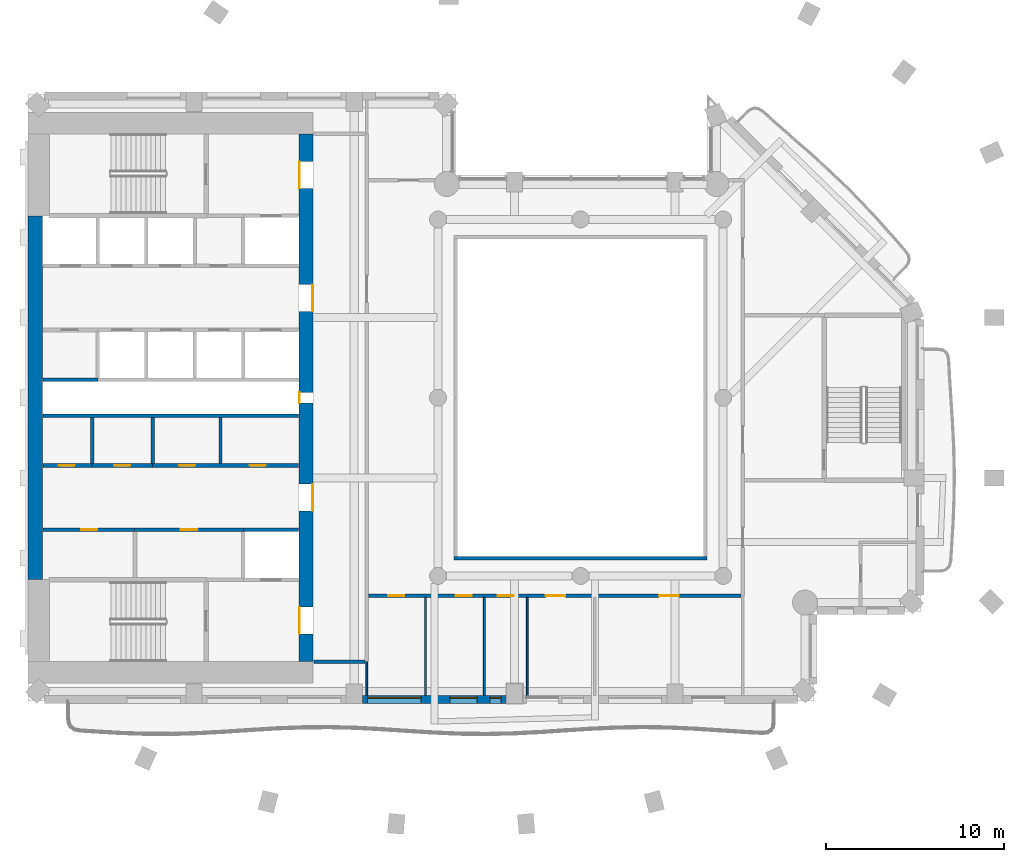
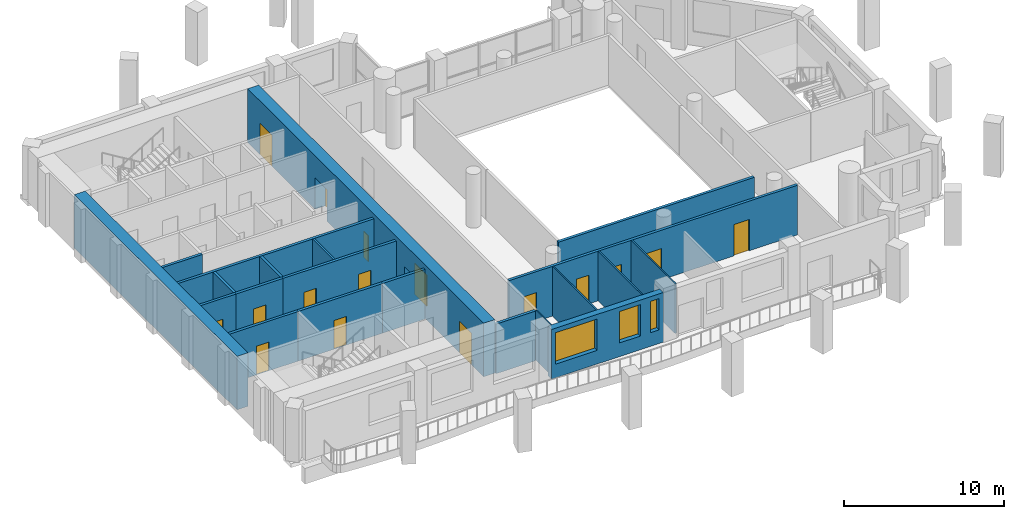
# One storey, part 4 of 13: 21 walls, 16 doors, 3 windows, 19 openings.
"""IFC4 building model written with IfcOpenShell, lengths in metres."""

from ifc_helpers import new_model, si_unit, direction, frame, frame_2d, origin, place, context, subcontext, project, spatial, rectangle, extrude, material, layer, layer_set, type_object, element, fill, save


model = new_model("IFC4")

# Units and contexts
model_context = context("Model", 3, precision=1e-05, world=origin(), true_north=direction((0.0, 1.0)))
body_context = subcontext(model_context, "Body", "Model", "MODEL_VIEW")
ifc_project = project(units=[si_unit("LENGTHUNIT", "METRE"), si_unit("AREAUNIT", "SQUARE_METRE"), si_unit("VOLUMEUNIT", "CUBIC_METRE"), si_unit("PLANEANGLEUNIT", "RADIAN"), si_unit("MASSUNIT", "GRAM", prefix="KILO")], contexts=[model_context])

# Site, building, storey
site_placement = place(None, origin())
site = spatial("IfcSite", under=ifc_project, at=site_placement, CompositionType="ELEMENT")
building_placement = place(site_placement, origin())
building = spatial("IfcBuilding", under=site, at=building_placement, Name="Cypress Arch Tower", CompositionType="ELEMENT")
storey_placement = place(building_placement, frame((0.0, 0.0, 189.199951171875)))
storey = spatial("IfcBuildingStorey", under=building, at=storey_placement, Name="L41", CompositionType="ELEMENT", Elevation=189.199951171875)

# Wall, openings, windows
ifc_material_1 = material(Name="Brick (red buff blend)", Category="masonry")
ifc_layer_1 = layer(ifc_material_1, 0.449951171875)
ifc_layer_set_1 = layer_set([ifc_layer_1], Name="Brick pier and spandrel wall BW450")
wall_type_1 = type_object("IfcWallType", Name="Brick pier and spandrel wall BW450", PredefinedType="SOLIDWALL", material=ifc_layer_set_1)
wall_1_placement = place(storey_placement, frame((-11.25, -16.925048828125, 0.0), z_axis=(0.0, 0.0, 1.0), x_axis=(1.0, 0.0, 0.0)))
wall_1 = element("IfcWall", 1, at=wall_1_placement, inside=storey, type_object=wall_type_1, Name="Brick wall L41 B01.2", PredefinedType="SOLIDWALL", context=body_context, shape_type="SweptSolid", body=[
    extrude(rectangle(XDim=8.10009765625, YDim=0.449951171875, at=frame_2d((4.050048828125, 0.0))), origin(), (0.0, 0.0, 1.0), 3.800048828125),
])
opening_1_placement = place(wall_1_placement, frame((0.300048828125, 0.0, 1.050048828125)))
opening_1 = element("IfcOpeningElement", 2, at=opening_1_placement, cuts=wall_1, Name="Opening W300OD", PredefinedType="OPENING", context=body_context, shape_type="SweptSolid", body=[
    extrude(rectangle(XDim=3.0, YDim=2.39990234375, at=frame_2d((1.5, 1.199951171875))), frame((0.0, 0.23486328125, 0.0), z_axis=(0.0, -1.0, 0.0), x_axis=(1.0, 0.0, 0.0)), (0.0, 0.0, 1.0), 0.469970703125),
])
opening_2_placement = place(wall_1_placement, frame((4.925048828125, 0.0, 1.050048828125)))
opening_2 = element("IfcOpeningElement", 3, at=opening_2_placement, cuts=wall_1, Name="Opening W150OD", PredefinedType="OPENING", context=body_context, shape_type="SweptSolid", body=[
    extrude(rectangle(XDim=1.5, YDim=2.39990234375, at=frame_2d((0.75, 1.199951171875))), frame((0.0, 0.23486328125, 0.0), z_axis=(0.0, -1.0, 0.0), x_axis=(1.0, 0.0, 0.0)), (0.0, 0.0, 1.0), 0.469970703125),
])
opening_3_placement = place(wall_1_placement, frame((7.175048828125, 0.0, 1.050048828125)))
opening_3 = element("IfcOpeningElement", 4, at=opening_3_placement, cuts=wall_1, Name="Opening W060OD", PredefinedType="OPENING", context=body_context, shape_type="SweptSolid", body=[
    extrude(rectangle(XDim=0.60009765625, YDim=2.39990234375, at=frame_2d((0.300048828125, 1.199951171875))), frame((0.0, 0.23486328125, 0.0), z_axis=(0.0, -1.0, 0.0), x_axis=(1.0, 0.0, 0.0)), (0.0, 0.0, 1.0), 0.469970703125),
])
ifc_material_2 = material(Name="Anodised aluminium, bronze finish, laminated low-emissivity double glazing, large-missile impact rated", Category="aluminium")
window_type_1 = type_object("IfcWindowType", Name="Window Office 1500x2400 debris-rated", PartitioningType="SINGLE_PANEL", PredefinedType="WINDOW", material=ifc_material_2)
window_1_placement = place(opening_2_placement, origin())
window_1 = element("IfcWindow", 5, at=window_1_placement, inside=storey, type_object=window_type_1, Name="Window L41 B01.2.2", OverallHeight=2.39990234375, OverallWidth=1.5, PartitioningType="SINGLE_PANEL", PredefinedType="WINDOW", context=body_context, shape_type="SweptSolid", body=[
    extrude(rectangle(XDim=1.5, YDim=2.39990234375, at=frame_2d((0.75, 1.199951171875))), frame((0.0, 0.135009765625, 0.0), z_axis=(0.0, -1.0, 0.0), x_axis=(1.0, 0.0, 0.0)), (0.0, 0.0, 1.0), 0.06005859375),
])
fill(opening_2, window_1)
ifc_material_3 = material(Name="Anodised aluminium, bronze finish, laminated low-emissivity double glazing, large-missile impact rated", Category="aluminium")
window_type_2 = type_object("IfcWindowType", Name="Window Office 3000x2400 debris-rated", PartitioningType="SINGLE_PANEL", PredefinedType="WINDOW", material=ifc_material_3)
window_2_placement = place(opening_1_placement, origin())
window_2 = element("IfcWindow", 6, at=window_2_placement, inside=storey, type_object=window_type_2, Name="Window L41 B01.2.1", OverallHeight=2.39990234375, OverallWidth=3.0, PartitioningType="SINGLE_PANEL", PredefinedType="WINDOW", context=body_context, shape_type="SweptSolid", body=[
    extrude(rectangle(XDim=3.0, YDim=2.39990234375, at=frame_2d((1.5, 1.199951171875))), frame((0.0, 0.135009765625, 0.0), z_axis=(0.0, -1.0, 0.0), x_axis=(1.0, 0.0, 0.0)), (0.0, 0.0, 1.0), 0.06005859375),
])
fill(opening_1, window_2)
ifc_material_4 = material(Name="Anodised aluminium, bronze finish, laminated low-emissivity double glazing, large-missile impact rated", Category="aluminium")
window_type_3 = type_object("IfcWindowType", Name="Window Office 600x2400 debris-rated", PartitioningType="SINGLE_PANEL", PredefinedType="WINDOW", material=ifc_material_4)
window_3_placement = place(opening_3_placement, origin())
window_3 = element("IfcWindow", 7, at=window_3_placement, inside=storey, type_object=window_type_3, Name="Window L41 B01.2.2b", OverallHeight=2.39990234375, OverallWidth=0.60009765625, PartitioningType="SINGLE_PANEL", PredefinedType="WINDOW", context=body_context, shape_type="SweptSolid", body=[
    extrude(rectangle(XDim=0.60009765625, YDim=2.39990234375, at=frame_2d((0.300048828125, 1.199951171875))), frame((0.0, 0.135009765625, 0.0), z_axis=(0.0, -1.0, 0.0), x_axis=(1.0, 0.0, 0.0)), (0.0, 0.0, 1.0), 0.06005859375),
])
fill(opening_3, window_3)

# Wall, openings, doors
ifc_material_5 = material(Name="Concrete C70/85", Category="concrete")
ifc_layer_2 = layer(ifc_material_5, 0.800048828125)
ifc_layer_set_2 = layer_set([ifc_layer_2], Name="Core wall CW800 C70/85")
wall_type_2 = type_object("IfcWallType", Name="Core wall CW800 C70/85", PredefinedType="SHEAR", material=ifc_layer_set_2)
wall_2_placement = place(storey_placement, frame((-14.39990234375, -14.800048828125, 0.0), z_axis=(0.0, 0.0, 1.0), x_axis=(0.0, 1.0, 0.0)))
wall_2 = element("IfcWall", 8, at=wall_2_placement, inside=storey, type_object=wall_type_2, Name="Core wall", PredefinedType="SHEAR", context=body_context, shape_type="SweptSolid", body=[
    extrude(rectangle(XDim=29.60009765625, YDim=0.800048828125, at=frame_2d((14.800048828125, 0.0))), origin(), (0.0, 0.0, 1.0), 4.10009765625),
])
opening_4_placement = place(wall_2_placement, frame((1.550048828125, 0.0, 0.0)))
opening_4 = element("IfcOpeningElement", 9, at=opening_4_placement, cuts=wall_2, Name="Opening D07", PredefinedType="OPENING", context=body_context, shape_type="SweptSolid", body=[
    extrude(rectangle(XDim=1.5, YDim=2.39990234375, at=frame_2d((0.75, 1.199951171875))), frame((0.0, 0.409912109375, 0.0), z_axis=(0.0, -1.0, 0.0), x_axis=(1.0, 0.0, 0.0)), (0.0, 0.0, 1.0), 0.820068359375),
])
opening_5_placement = place(wall_2_placement, frame((26.550048828125, 0.0, 0.0)))
opening_5 = element("IfcOpeningElement", 10, at=opening_5_placement, cuts=wall_2, Name="Opening D07", PredefinedType="OPENING", context=body_context, shape_type="SweptSolid", body=[
    extrude(rectangle(XDim=1.5, YDim=2.39990234375, at=frame_2d((0.75, 1.199951171875))), frame((0.0, 0.409912109375, 0.0), z_axis=(0.0, -1.0, 0.0), x_axis=(1.0, 0.0, 0.0)), (0.0, 0.0, 1.0), 0.820068359375),
])
opening_6_placement = place(wall_2_placement, frame((8.449951171875, 0.0, 0.0)))
opening_6 = element("IfcOpeningElement", 11, at=opening_6_placement, cuts=wall_2, Name="Opening D07", PredefinedType="OPENING", context=body_context, shape_type="SweptSolid", body=[
    extrude(rectangle(XDim=1.5, YDim=2.39990234375, at=frame_2d((0.75, 1.199951171875))), frame((0.0, 0.409912109375, 0.0), z_axis=(0.0, -1.0, 0.0), x_axis=(1.0, 0.0, 0.0)), (0.0, 0.0, 1.0), 0.820068359375),
])
opening_7_placement = place(wall_2_placement, frame((19.64990234375, 0.0, 0.0)))
opening_7 = element("IfcOpeningElement", 12, at=opening_7_placement, cuts=wall_2, Name="Opening D07", PredefinedType="OPENING", context=body_context, shape_type="SweptSolid", body=[
    extrude(rectangle(XDim=1.5, YDim=2.39990234375, at=frame_2d((0.75, 1.199951171875))), frame((0.0, 0.409912109375, 0.0), z_axis=(0.0, -1.0, 0.0), x_axis=(1.0, 0.0, 0.0)), (0.0, 0.0, 1.0), 0.820068359375),
])
opening_8_placement = place(wall_2_placement, frame((14.5, 0.0, 0.0)))
opening_8 = element("IfcOpeningElement", 13, at=opening_8_placement, cuts=wall_2, Name="Opening D08", PredefinedType="OPENING", context=body_context, shape_type="SweptSolid", body=[
    extrude(rectangle(XDim=0.60009765625, YDim=2.0, at=frame_2d((0.300048828125, 1.0))), frame((0.0, 0.409912109375, 0.0), z_axis=(0.0, -1.0, 0.0), x_axis=(1.0, 0.0, 0.0)), (0.0, 0.0, 1.0), 0.820068359375),
])
ifc_material_6 = material(Name="Steel framed glazed door, fire resisting", Category="steel")
door_type_1 = type_object("IfcDoorType", Name="Lobby door D07 1500x2400", OperationType="DOUBLE_DOOR_SINGLE_SWING", PredefinedType="DOOR", material=ifc_material_6)
door_1_placement = place(opening_4_placement, origin())
door_1 = element("IfcDoor", 14, at=door_1_placement, inside=storey, type_object=door_type_1, Name="Lobby door", OperationType="DOUBLE_DOOR_SINGLE_SWING", OverallHeight=2.39990234375, OverallWidth=1.5, PredefinedType="DOOR", context=body_context, shape_type="SweptSolid", body=[
    extrude(rectangle(XDim=1.5, YDim=2.39990234375, at=frame_2d((0.75, 1.199951171875))), frame((0.0, 0.39501953125, 0.0), z_axis=(0.0, -1.0, 0.0), x_axis=(1.0, 0.0, 0.0)), (0.0, 0.0, 1.0), 0.050048828125),
])
fill(opening_4, door_1)
door_2_placement = place(opening_5_placement, origin())
door_2 = element("IfcDoor", 15, at=door_2_placement, inside=storey, type_object=door_type_1, Name="Lobby door", OperationType="DOUBLE_DOOR_SINGLE_SWING", OverallHeight=2.39990234375, OverallWidth=1.5, PredefinedType="DOOR", context=body_context, shape_type="SweptSolid", body=[
    extrude(rectangle(XDim=1.5, YDim=2.39990234375, at=frame_2d((0.75, 1.199951171875))), frame((0.0, 0.39501953125, 0.0), z_axis=(0.0, -1.0, 0.0), x_axis=(1.0, 0.0, 0.0)), (0.0, 0.0, 1.0), 0.050048828125),
])
fill(opening_5, door_2)
door_3_placement = place(opening_6_placement, origin())
door_3 = element("IfcDoor", 16, at=door_3_placement, inside=storey, type_object=door_type_1, Name="Lobby door", OperationType="DOUBLE_DOOR_SINGLE_SWING", OverallHeight=2.39990234375, OverallWidth=1.5, PredefinedType="DOOR", context=body_context, shape_type="SweptSolid", body=[
    extrude(rectangle(XDim=1.5, YDim=2.39990234375, at=frame_2d((0.75, 1.199951171875))), frame((0.0, -0.34521484375, 0.0), z_axis=(0.0, -1.0, 0.0), x_axis=(1.0, 0.0, 0.0)), (0.0, 0.0, 1.0), 0.050048828125),
])
fill(opening_6, door_3)
door_4_placement = place(opening_7_placement, origin())
door_4 = element("IfcDoor", 17, at=door_4_placement, inside=storey, type_object=door_type_1, Name="Lobby door", OperationType="DOUBLE_DOOR_SINGLE_SWING", OverallHeight=2.39990234375, OverallWidth=1.5, PredefinedType="DOOR", context=body_context, shape_type="SweptSolid", body=[
    extrude(rectangle(XDim=1.5, YDim=2.39990234375, at=frame_2d((0.75, 1.199951171875))), frame((0.0, -0.34521484375, 0.0), z_axis=(0.0, -1.0, 0.0), x_axis=(1.0, 0.0, 0.0)), (0.0, 0.0, 1.0), 0.050048828125),
])
fill(opening_7, door_4)
ifc_material_7 = material(Name="Steel access door, fire resisting", Category="steel")
door_type_2 = type_object("IfcDoorType", Name="Riser access door D08 600x2000", OperationType="SINGLE_SWING_LEFT", PredefinedType="DOOR", material=ifc_material_7)
door_5_placement = place(opening_8_placement, origin())
door_5 = element("IfcDoor", 18, at=door_5_placement, inside=storey, type_object=door_type_2, Name="Riser access door", OperationType="SINGLE_SWING_RIGHT", OverallHeight=2.0, OverallWidth=0.60009765625, PredefinedType="DOOR", context=body_context, shape_type="SweptSolid", body=[
    extrude(rectangle(XDim=0.60009765625, YDim=2.0, at=frame_2d((0.300048828125, 1.0))), frame((0.0, 0.39501953125, 0.0), z_axis=(0.0, -1.0, 0.0), x_axis=(1.0, 0.0, 0.0)), (0.0, 0.0, 1.0), 0.050048828125),
])
fill(opening_8, door_5)

# Wall
wall_3_placement = place(storey_placement, frame((-29.60009765625, -10.199951171875, 0.0), z_axis=(0.0, 0.0, 1.0), x_axis=(0.0, 1.0, 0.0)))
element("IfcWall", 19, at=wall_3_placement, inside=storey, type_object=wall_type_2, Name="Core wall", PredefinedType="SHEAR", context=body_context, shape_type="SweptSolid", body=[
    extrude(rectangle(XDim=20.39990234375, YDim=0.800048828125, at=frame_2d((10.199951171875, 0.0))), origin(), (0.0, 0.0, 1.0), 4.10009765625),
])

# Wall, opening, door
ifc_material_8 = material(Name="Concrete blockwork, plastered, rated", Category="masonry")
ifc_layer_3 = layer(ifc_material_8, 0.199951171875)
ifc_layer_set_3 = layer_set([ifc_layer_3], Name="Corridor wall FW200")
wall_type_3 = type_object("IfcWallType", Name="Corridor wall FW200", PredefinedType="PARTITIONING", material=ifc_layer_set_3)
wall_4_placement = place(storey_placement, frame((-29.169921875, -7.39990234375, 0.0), z_axis=(0.0, 0.0, 1.0), x_axis=(1.0, 0.0, 0.0)))
wall_4 = element("IfcWall", 20, at=wall_4_placement, inside=storey, type_object=wall_type_3, Name="Corridor wall", PredefinedType="PARTITIONING", context=body_context, shape_type="SweptSolid", body=[
    extrude(rectangle(XDim=5.14990234375, YDim=0.199951171875, at=frame_2d((2.574951171875, 0.0))), origin(), (0.0, 0.0, 1.0), 3.800048828125),
])
opening_9_placement = place(wall_4_placement, frame((2.14990234375, 0.0, 0.0)))
opening_9 = element("IfcOpeningElement", 21, at=opening_9_placement, cuts=wall_4, Name="Opening D05", PredefinedType="OPENING", context=body_context, shape_type="SweptSolid", body=[
    extrude(rectangle(XDim=0.89990234375, YDim=2.199951171875, at=frame_2d((0.449951171875, 1.10009765625))), frame((0.0, 0.10986328125, 0.0), z_axis=(0.0, -1.0, 0.0), x_axis=(1.0, 0.0, 0.0)), (0.0, 0.0, 1.0), 0.219970703125),
])
ifc_material_9 = material(Name="Timber flush door", Category="wood")
door_type_3 = type_object("IfcDoorType", Name="Service door D05 900x2200", OperationType="SINGLE_SWING_LEFT", PredefinedType="DOOR", material=ifc_material_9)
door_6_placement = place(opening_9_placement, origin())
door_6 = element("IfcDoor", 22, at=door_6_placement, inside=storey, type_object=door_type_3, Name="Service door", OperationType="SINGLE_SWING_LEFT", OverallHeight=2.199951171875, OverallWidth=0.89990234375, PredefinedType="DOOR", context=body_context, shape_type="SweptSolid", body=[
    extrude(rectangle(XDim=0.89990234375, YDim=2.199951171875, at=frame_2d((0.449951171875, 1.10009765625))), frame((0.0, 0.02490234375, 0.0), z_axis=(0.0, -1.0, 0.0), x_axis=(1.0, 0.0, 0.0)), (0.0, 0.0, 1.0), 0.050048828125),
])
fill(opening_9, door_6)

wall_5_placement = place(storey_placement, frame((-29.169921875, -3.800048828125, 0.0), z_axis=(0.0, 0.0, 1.0), x_axis=(1.0, 0.0, 0.0)))
wall_5 = element("IfcWall", 23, at=wall_5_placement, inside=storey, type_object=wall_type_3, Name="Corridor wall", PredefinedType="PARTITIONING", context=body_context, shape_type="SweptSolid", body=[
    extrude(rectangle(XDim=2.75, YDim=0.199951171875, at=frame_2d((1.375, 0.0))), origin(), (0.0, 0.0, 1.0), 3.800048828125),
])
opening_10_placement = place(wall_5_placement, frame((0.89990234375, 0.0, 0.0)))
opening_10 = element("IfcOpeningElement", 24, at=opening_10_placement, cuts=wall_5, Name="Opening D05", PredefinedType="OPENING", context=body_context, shape_type="SweptSolid", body=[
    extrude(rectangle(XDim=0.89990234375, YDim=2.199951171875, at=frame_2d((0.449951171875, 1.10009765625))), frame((0.0, 0.10986328125, 0.0), z_axis=(0.0, -1.0, 0.0), x_axis=(1.0, 0.0, 0.0)), (0.0, 0.0, 1.0), 0.219970703125),
])
door_7_placement = place(opening_10_placement, origin())
door_7 = element("IfcDoor", 25, at=door_7_placement, inside=storey, type_object=door_type_3, Name="Service door", OperationType="SINGLE_SWING_RIGHT", OverallHeight=2.199951171875, OverallWidth=0.89990234375, PredefinedType="DOOR", context=body_context, shape_type="SweptSolid", body=[
    extrude(rectangle(XDim=0.89990234375, YDim=2.199951171875, at=frame_2d((0.449951171875, 1.10009765625))), frame((0.0, 0.02490234375, 0.0), z_axis=(0.0, -1.0, 0.0), x_axis=(1.0, 0.0, 0.0)), (0.0, 0.0, 1.0), 0.050048828125),
])
fill(opening_10, door_7)

# Wall, openings, doors
wall_6_placement = place(storey_placement, frame((-23.02001953125, -3.800048828125, 0.0), z_axis=(0.0, 0.0, 1.0), x_axis=(1.0, 0.0, 0.0)))
wall_6 = element("IfcWall", 26, at=wall_6_placement, inside=storey, type_object=wall_type_3, Name="Corridor wall", PredefinedType="PARTITIONING", context=body_context, shape_type="SweptSolid", body=[
    extrude(rectangle(XDim=8.18994140625, YDim=0.199951171875, at=frame_2d((4.094970703125, 0.0))), origin(), (0.0, 0.0, 1.0), 3.800048828125),
])
opening_11_placement = place(wall_6_placement, frame((1.5, 0.0, 0.0)))
opening_11 = element("IfcOpeningElement", 27, at=opening_11_placement, cuts=wall_6, Name="Opening D05", PredefinedType="OPENING", context=body_context, shape_type="SweptSolid", body=[
    extrude(rectangle(XDim=0.89990234375, YDim=2.199951171875, at=frame_2d((0.449951171875, 1.10009765625))), frame((0.0, 0.10986328125, 0.0), z_axis=(0.0, -1.0, 0.0), x_axis=(1.0, 0.0, 0.0)), (0.0, 0.0, 1.0), 0.219970703125),
])
opening_12_placement = place(wall_6_placement, frame((5.449951171875, 0.0, 0.0)))
opening_12 = element("IfcOpeningElement", 28, at=opening_12_placement, cuts=wall_6, Name="Opening D05", PredefinedType="OPENING", context=body_context, shape_type="SweptSolid", body=[
    extrude(rectangle(XDim=0.89990234375, YDim=2.199951171875, at=frame_2d((0.449951171875, 1.10009765625))), frame((0.0, 0.10986328125, 0.0), z_axis=(0.0, -1.0, 0.0), x_axis=(1.0, 0.0, 0.0)), (0.0, 0.0, 1.0), 0.219970703125),
])
door_8_placement = place(opening_11_placement, origin())
door_8 = element("IfcDoor", 29, at=door_8_placement, inside=storey, type_object=door_type_3, Name="Service door", OperationType="SINGLE_SWING_RIGHT", OverallHeight=2.199951171875, OverallWidth=0.89990234375, PredefinedType="DOOR", context=body_context, shape_type="SweptSolid", body=[
    extrude(rectangle(XDim=0.89990234375, YDim=2.199951171875, at=frame_2d((0.449951171875, 1.10009765625))), frame((0.0, 0.02490234375, 0.0), z_axis=(0.0, -1.0, 0.0), x_axis=(1.0, 0.0, 0.0)), (0.0, 0.0, 1.0), 0.050048828125),
])
fill(opening_11, door_8)
door_9_placement = place(opening_12_placement, origin())
door_9 = element("IfcDoor", 30, at=door_9_placement, inside=storey, type_object=door_type_3, Name="Service door", OperationType="SINGLE_SWING_LEFT", OverallHeight=2.199951171875, OverallWidth=0.89990234375, PredefinedType="DOOR", context=body_context, shape_type="SweptSolid", body=[
    extrude(rectangle(XDim=0.89990234375, YDim=2.199951171875, at=frame_2d((0.449951171875, 1.10009765625))), frame((0.0, 0.02490234375, 0.0), z_axis=(0.0, -1.0, 0.0), x_axis=(1.0, 0.0, 0.0)), (0.0, 0.0, 1.0), 0.050048828125),
])
fill(opening_12, door_9)

# Wall
wall_7_placement = place(storey_placement, frame((-13.969970703125, -14.800048828125, 0.0), z_axis=(0.0, 0.0, 1.0), x_axis=(1.0, 0.0, 0.0)))
element("IfcWall", 31, at=wall_7_placement, inside=storey, type_object=wall_type_3, Name="Corridor wall", PredefinedType="PARTITIONING", context=body_context, shape_type="SweptSolid", body=[
    extrude(rectangle(XDim=2.869873046875, YDim=0.199951171875, at=frame_2d((1.43505859375, 0.0))), origin(), (0.0, 0.0, 1.0), 3.800048828125),
])

# Wall, openings, doors
wall_8_placement = place(storey_placement, frame((-10.89990234375, -11.10009765625, 0.0), z_axis=(0.0, 0.0, 1.0), x_axis=(1.0, 0.0, 0.0)))
wall_8 = element("IfcWall", 32, at=wall_8_placement, inside=storey, type_object=wall_type_3, Name="Corridor wall", PredefinedType="PARTITIONING", context=body_context, shape_type="SweptSolid", body=[
    extrude(rectangle(XDim=20.89990234375, YDim=0.199951171875, at=frame_2d((10.449951171875, 0.0))), origin(), (0.0, 0.0, 1.0), 3.800048828125),
])
opening_13_placement = place(wall_8_placement, frame((1.10009765625, 0.0, 0.0)))
opening_13 = element("IfcOpeningElement", 33, at=opening_13_placement, cuts=wall_8, Name="Opening D03", PredefinedType="OPENING", context=body_context, shape_type="SweptSolid", body=[
    extrude(rectangle(XDim=0.89990234375, YDim=2.199951171875, at=frame_2d((0.449951171875, 1.10009765625))), frame((0.0, 0.10986328125, 0.0), z_axis=(0.0, -1.0, 0.0), x_axis=(1.0, 0.0, 0.0)), (0.0, 0.0, 1.0), 0.219970703125),
])
opening_14_placement = place(wall_8_placement, frame((4.89990234375, 0.0, 0.0)))
opening_14 = element("IfcOpeningElement", 34, at=opening_14_placement, cuts=wall_8, Name="Opening D03", PredefinedType="OPENING", context=body_context, shape_type="SweptSolid", body=[
    extrude(rectangle(XDim=0.89990234375, YDim=2.199951171875, at=frame_2d((0.449951171875, 1.10009765625))), frame((0.0, 0.10986328125, 0.0), z_axis=(0.0, -1.0, 0.0), x_axis=(1.0, 0.0, 0.0)), (0.0, 0.0, 1.0), 0.219970703125),
])
opening_15_placement = place(wall_8_placement, frame((7.25, 0.0, 0.0)))
opening_15 = element("IfcOpeningElement", 35, at=opening_15_placement, cuts=wall_8, Name="Opening D03", PredefinedType="OPENING", context=body_context, shape_type="SweptSolid", body=[
    extrude(rectangle(XDim=0.89990234375, YDim=2.199951171875, at=frame_2d((0.449951171875, 1.10009765625))), frame((0.0, 0.10986328125, 0.0), z_axis=(0.0, -1.0, 0.0), x_axis=(1.0, 0.0, 0.0)), (0.0, 0.0, 1.0), 0.219970703125),
])
opening_16_placement = place(wall_8_placement, frame((9.949951171875, 0.0, 0.0)))
opening_16 = element("IfcOpeningElement", 36, at=opening_16_placement, cuts=wall_8, Name="Opening D01", PredefinedType="OPENING", context=body_context, shape_type="SweptSolid", body=[
    extrude(rectangle(XDim=1.10009765625, YDim=2.39990234375, at=frame_2d((0.550048828125, 1.199951171875))), frame((0.0, 0.10986328125, 0.0), z_axis=(0.0, -1.0, 0.0), x_axis=(1.0, 0.0, 0.0)), (0.0, 0.0, 1.0), 0.219970703125),
])
opening_17_placement = place(wall_8_placement, frame((16.300048828125, 0.0, 0.0)))
opening_17 = element("IfcOpeningElement", 37, at=opening_17_placement, cuts=wall_8, Name="Opening D01", PredefinedType="OPENING", context=body_context, shape_type="SweptSolid", body=[
    extrude(rectangle(XDim=1.10009765625, YDim=2.39990234375, at=frame_2d((0.550048828125, 1.199951171875))), frame((0.0, 0.10986328125, 0.0), z_axis=(0.0, -1.0, 0.0), x_axis=(1.0, 0.0, 0.0)), (0.0, 0.0, 1.0), 0.219970703125),
])
ifc_material_10 = material(Name="Timber flush door, moisture resistant", Category="wood")
door_type_4 = type_object("IfcDoorType", Name="Bathroom door D03 900x2200", OperationType="SINGLE_SWING_LEFT", PredefinedType="DOOR", material=ifc_material_10)
door_10_placement = place(opening_13_placement, origin())
door_10 = element("IfcDoor", 38, at=door_10_placement, inside=storey, type_object=door_type_4, Name="Bathroom door", OperationType="SINGLE_SWING_RIGHT", OverallHeight=2.199951171875, OverallWidth=0.89990234375, PredefinedType="DOOR", context=body_context, shape_type="SweptSolid", body=[
    extrude(rectangle(XDim=0.89990234375, YDim=2.199951171875, at=frame_2d((0.449951171875, 1.10009765625))), frame((0.0, 0.02490234375, 0.0), z_axis=(0.0, -1.0, 0.0), x_axis=(1.0, 0.0, 0.0)), (0.0, 0.0, 1.0), 0.050048828125),
])
fill(opening_13, door_10)
door_11_placement = place(opening_14_placement, origin())
door_11 = element("IfcDoor", 39, at=door_11_placement, inside=storey, type_object=door_type_4, Name="Bathroom door", OperationType="SINGLE_SWING_LEFT", OverallHeight=2.199951171875, OverallWidth=0.89990234375, PredefinedType="DOOR", context=body_context, shape_type="SweptSolid", body=[
    extrude(rectangle(XDim=0.89990234375, YDim=2.199951171875, at=frame_2d((0.449951171875, 1.10009765625))), frame((0.0, 0.02490234375, 0.0), z_axis=(0.0, -1.0, 0.0), x_axis=(1.0, 0.0, 0.0)), (0.0, 0.0, 1.0), 0.050048828125),
])
fill(opening_14, door_11)
door_12_placement = place(opening_15_placement, origin())
door_12 = element("IfcDoor", 40, at=door_12_placement, inside=storey, type_object=door_type_4, Name="Bathroom door", OperationType="SINGLE_SWING_RIGHT", OverallHeight=2.199951171875, OverallWidth=0.89990234375, PredefinedType="DOOR", context=body_context, shape_type="SweptSolid", body=[
    extrude(rectangle(XDim=0.89990234375, YDim=2.199951171875, at=frame_2d((0.449951171875, 1.10009765625))), frame((0.0, 0.02490234375, 0.0), z_axis=(0.0, -1.0, 0.0), x_axis=(1.0, 0.0, 0.0)), (0.0, 0.0, 1.0), 0.050048828125),
])
fill(opening_15, door_12)
ifc_material_11 = material(Name="Timber flush door, fire resisting, self-closing", Category="wood")
door_type_5 = type_object("IfcDoorType", Name="Unit entrance door D01 1100x2400", OperationType="SINGLE_SWING_LEFT", PredefinedType="DOOR", material=ifc_material_11)
door_13_placement = place(opening_16_placement, origin())
door_13 = element("IfcDoor", 41, at=door_13_placement, inside=storey, type_object=door_type_5, Name="Unit entrance door", OperationType="SINGLE_SWING_RIGHT", OverallHeight=2.39990234375, OverallWidth=1.10009765625, PredefinedType="DOOR", context=body_context, shape_type="SweptSolid", body=[
    extrude(rectangle(XDim=1.10009765625, YDim=2.39990234375, at=frame_2d((0.550048828125, 1.199951171875))), frame((0.0, 0.02490234375, 0.0), z_axis=(0.0, -1.0, 0.0), x_axis=(1.0, 0.0, 0.0)), (0.0, 0.0, 1.0), 0.050048828125),
])
fill(opening_16, door_13)
door_14_placement = place(opening_17_placement, origin())
door_14 = element("IfcDoor", 42, at=door_14_placement, inside=storey, type_object=door_type_5, Name="Unit entrance door", OperationType="SINGLE_SWING_LEFT", OverallHeight=2.39990234375, OverallWidth=1.10009765625, PredefinedType="DOOR", context=body_context, shape_type="SweptSolid", body=[
    extrude(rectangle(XDim=1.10009765625, YDim=2.39990234375, at=frame_2d((0.550048828125, 1.199951171875))), frame((0.0, 0.02490234375, 0.0), z_axis=(0.0, -1.0, 0.0), x_axis=(1.0, 0.0, 0.0)), (0.0, 0.0, 1.0), 0.050048828125),
])
fill(opening_17, door_14)

# Walls
wall_9_placement = place(storey_placement, frame((-6.10009765625, -9.0, 0.0), z_axis=(0.0, 0.0, 1.0), x_axis=(1.0, 0.0, 0.0)))
element("IfcWall", 43, at=wall_9_placement, inside=storey, type_object=wall_type_3, Name="Corridor wall", PredefinedType="PARTITIONING", context=body_context, shape_type="SweptSolid", body=[
    extrude(rectangle(XDim=14.2001953125, YDim=0.199951171875, at=frame_2d((7.10009765625, 0.0))), origin(), (0.0, 0.0, 1.0), 3.800048828125),
])
ifc_material_12 = material(Name="Blockwork, plastered both sides", Category="masonry")
ifc_layer_4 = layer(ifc_material_12, 0.14990234375)
ifc_layer_set_4 = layer_set([ifc_layer_4], Name="Partition PW150")
wall_type_4 = type_object("IfcWallType", Name="Partition PW150", PredefinedType="PARTITIONING", material=ifc_layer_set_4)
wall_10_placement = place(storey_placement, frame((-19.199951171875, -3.699951171875, 0.0), z_axis=(0.0, 0.0, 1.0), x_axis=(0.0, 1.0, 0.0)))
element("IfcWall", 44, at=wall_10_placement, inside=storey, type_object=wall_type_4, Name="Partition", PredefinedType="PARTITIONING", context=body_context, shape_type="SweptSolid", body=[
    extrude(rectangle(XDim=2.599853515625, YDim=0.14990234375, at=frame_2d((1.2998046875, 0.0))), origin(), (0.0, 0.0, 1.0), 3.800048828125),
])
ifc_material_13 = material(Name="Reinforced blockwork, plastered, rated", Category="masonry")
ifc_layer_5 = layer(ifc_material_13, 0.199951171875)
ifc_layer_set_5 = layer_set([ifc_layer_5], Name="Plant and riser wall PL200")
wall_type_5 = type_object("IfcWallType", Name="Plant and riser wall PL200", PredefinedType="PARTITIONING", material=ifc_layer_set_5)
wall_11_placement = place(storey_placement, frame((-29.169921875, -1.0, 0.0), z_axis=(0.0, 0.0, 1.0), x_axis=(1.0, 0.0, 0.0)))
element("IfcWall", 45, at=wall_11_placement, inside=storey, type_object=wall_type_5, Name="Plant and riser wall", PredefinedType="PARTITIONING", context=body_context, shape_type="SweptSolid", body=[
    extrude(rectangle(XDim=14.33984375, YDim=0.199951171875, at=frame_2d((7.169921875, 0.0))), origin(), (0.0, 0.0, 1.0), 3.800048828125),
])
wall_12_placement = place(storey_placement, frame((-29.169921875, 1.0, 0.0), z_axis=(0.0, 0.0, 1.0), x_axis=(1.0, 0.0, 0.0)))
element("IfcWall", 46, at=wall_12_placement, inside=storey, type_object=wall_type_5, Name="Plant and riser wall", PredefinedType="PARTITIONING", context=body_context, shape_type="SweptSolid", body=[
    extrude(rectangle(XDim=3.08984375, YDim=0.199951171875, at=frame_2d((1.544921875, 0.0))), origin(), (0.0, 0.0, 1.0), 3.800048828125),
])

# Wall, opening, door
wall_13_placement = place(storey_placement, frame((-26.419921875, -3.800048828125, 0.0), z_axis=(0.0, 0.0, 1.0), x_axis=(1.0, 0.0, 0.0)))
wall_13 = element("IfcWall", 47, at=wall_13_placement, inside=storey, type_object=wall_type_5, Name="Plant and riser wall", PredefinedType="PARTITIONING", context=body_context, shape_type="SweptSolid", body=[
    extrude(rectangle(XDim=3.39990234375, YDim=0.199951171875, at=frame_2d((1.699951171875, 0.0))), origin(), (0.0, 0.0, 1.0), 3.800048828125),
])
opening_18_placement = place(wall_13_placement, frame((1.25, 0.0, 0.0)))
opening_18 = element("IfcOpeningElement", 48, at=opening_18_placement, cuts=wall_13, Name="Opening D05", PredefinedType="OPENING", context=body_context, shape_type="SweptSolid", body=[
    extrude(rectangle(XDim=0.89990234375, YDim=2.199951171875, at=frame_2d((0.449951171875, 1.10009765625))), frame((0.0, 0.10986328125, 0.0), z_axis=(0.0, -1.0, 0.0), x_axis=(1.0, 0.0, 0.0)), (0.0, 0.0, 1.0), 0.219970703125),
])
door_15_placement = place(opening_18_placement, origin())
door_15 = element("IfcDoor", 49, at=door_15_placement, inside=storey, type_object=door_type_3, Name="Service door", OperationType="SINGLE_SWING_LEFT", OverallHeight=2.199951171875, OverallWidth=0.89990234375, PredefinedType="DOOR", context=body_context, shape_type="SweptSolid", body=[
    extrude(rectangle(XDim=0.89990234375, YDim=2.199951171875, at=frame_2d((0.449951171875, 1.10009765625))), frame((0.0, 0.02490234375, 0.0), z_axis=(0.0, -1.0, 0.0), x_axis=(1.0, 0.0, 0.0)), (0.0, 0.0, 1.0), 0.050048828125),
])
fill(opening_18, door_15)

# Wall
wall_14_placement = place(storey_placement, frame((-26.39990234375, -3.699951171875, 0.0), z_axis=(0.0, 0.0, 1.0), x_axis=(0.0, 1.0, 0.0)))
element("IfcWall", 50, at=wall_14_placement, inside=storey, type_object=wall_type_5, Name="Plant and riser wall", PredefinedType="PARTITIONING", context=body_context, shape_type="SweptSolid", body=[
    extrude(rectangle(XDim=2.599853515625, YDim=0.199951171875, at=frame_2d((1.2998046875, 0.0))), origin(), (0.0, 0.0, 1.0), 3.800048828125),
])

# Wall, opening, door
wall_15_placement = place(storey_placement, frame((-24.02001953125, -7.39990234375, 0.0), z_axis=(0.0, 0.0, 1.0), x_axis=(1.0, 0.0, 0.0)))
wall_15 = element("IfcWall", 51, at=wall_15_placement, inside=storey, type_object=wall_type_5, Name="Plant and riser wall", PredefinedType="PARTITIONING", context=body_context, shape_type="SweptSolid", body=[
    extrude(rectangle(XDim=6.1201171875, YDim=0.199951171875, at=frame_2d((3.06005859375, 0.0))), origin(), (0.0, 0.0, 1.0), 3.800048828125),
])
opening_19_placement = place(wall_15_placement, frame((2.60009765625, 0.0, 0.0)))
opening_19 = element("IfcOpeningElement", 52, at=opening_19_placement, cuts=wall_15, Name="Opening D05", PredefinedType="OPENING", context=body_context, shape_type="SweptSolid", body=[
    extrude(rectangle(XDim=0.89990234375, YDim=2.199951171875, at=frame_2d((0.449951171875, 1.10009765625))), frame((0.0, 0.10986328125, 0.0), z_axis=(0.0, -1.0, 0.0), x_axis=(1.0, 0.0, 0.0)), (0.0, 0.0, 1.0), 0.219970703125),
])
door_16_placement = place(opening_19_placement, origin())
door_16 = element("IfcDoor", 53, at=door_16_placement, inside=storey, type_object=door_type_3, Name="Service door", OperationType="SINGLE_SWING_RIGHT", OverallHeight=2.199951171875, OverallWidth=0.89990234375, PredefinedType="DOOR", context=body_context, shape_type="SweptSolid", body=[
    extrude(rectangle(XDim=0.89990234375, YDim=2.199951171875, at=frame_2d((0.449951171875, 1.10009765625))), frame((0.0, 0.02490234375, 0.0), z_axis=(0.0, -1.0, 0.0), x_axis=(1.0, 0.0, 0.0)), (0.0, 0.0, 1.0), 0.050048828125),
])
fill(opening_19, door_16)

# Walls
wall_16_placement = place(storey_placement, frame((-23.0, -3.699951171875, 0.0), z_axis=(0.0, 0.0, 1.0), x_axis=(0.0, 1.0, 0.0)))
element("IfcWall", 54, at=wall_16_placement, inside=storey, type_object=wall_type_5, Name="Plant and riser wall", PredefinedType="PARTITIONING", context=body_context, shape_type="SweptSolid", body=[
    extrude(rectangle(XDim=2.599853515625, YDim=0.199951171875, at=frame_2d((1.2998046875, 0.0))), origin(), (0.0, 0.0, 1.0), 3.800048828125),
])
ifc_material_14 = material(Name="Concrete C50/60", Category="concrete")
ifc_layer_6 = layer(ifc_material_14, 0.199951171875)
ifc_layer_set_6 = layer_set([ifc_layer_6], Name="Shaft wall SH200")
wall_type_6 = type_object("IfcWallType", Name="Shaft wall SH200", PredefinedType="SHEAR", material=ifc_layer_set_6)
wall_17_placement = place(storey_placement, frame((-17.89990234375, -7.39990234375, 0.0), z_axis=(0.0, 0.0, 1.0), x_axis=(1.0, 0.0, 0.0)))
element("IfcWall", 55, at=wall_17_placement, inside=storey, type_object=wall_type_6, Name="Shaft wall", PredefinedType="SHEAR", context=body_context, shape_type="SweptSolid", body=[
    extrude(rectangle(XDim=3.06982421875, YDim=0.199951171875, at=frame_2d((1.534912109375, 0.0))), origin(), (0.0, 0.0, 1.0), 3.800048828125),
])
ifc_material_15 = material(Name="Moisture resistant board on steel studs, tiled", Category="steel")
ifc_layer_7 = layer(ifc_material_15, 0.10009765625)
ifc_layer_set_7 = layer_set([ifc_layer_7], Name="Wet wall PW100")
wall_type_7 = type_object("IfcWallType", Name="Wet wall PW100", PredefinedType="PARTITIONING", material=ifc_layer_set_7)
wall_18_placement = place(storey_placement, frame((-11.0, -16.699951171875, 0.0), z_axis=(0.0, 0.0, 1.0), x_axis=(0.0, 1.0, 0.0)))
element("IfcWall", 56, at=wall_18_placement, inside=storey, type_object=wall_type_7, Name="Wet wall", PredefinedType="PARTITIONING", context=body_context, shape_type="SweptSolid", body=[
    extrude(rectangle(XDim=1.8798828125, YDim=0.10009765625, at=frame_2d((0.93994140625, 0.0))), origin(), (0.0, 0.0, 1.0), 3.800048828125),
])
for number, where, z_axis, x_axis, name in (
    (57, (-7.699951171875, -16.699951171875, 0.0), (0.0, 0.0, 1.0), (0.0, 1.0, 0.0), "Wet wall"),
    (58, (-4.39990234375, -16.699951171875, 0.0), (0.0, 0.0, 1.0), (0.0, 1.0, 0.0), "Wet wall"),
    (59, (-2.0, -16.699951171875, 0.0), (0.0, 0.0, 1.0), (0.0, 1.0, 0.0), "Wet wall"),
):
    element("IfcWall", number, at=place(storey_placement, frame(where, z_axis=z_axis, x_axis=x_axis)), inside=storey, type_object=wall_type_7, Name=name, PredefinedType="PARTITIONING", context=body_context, shape_type="SweptSolid", body=[
        extrude(rectangle(XDim=5.5, YDim=0.10009765625, at=frame_2d((2.75, 0.0))), origin(), (0.0, 0.0, 1.0), 3.800048828125),
    ])

save(model, "model.ifc")
